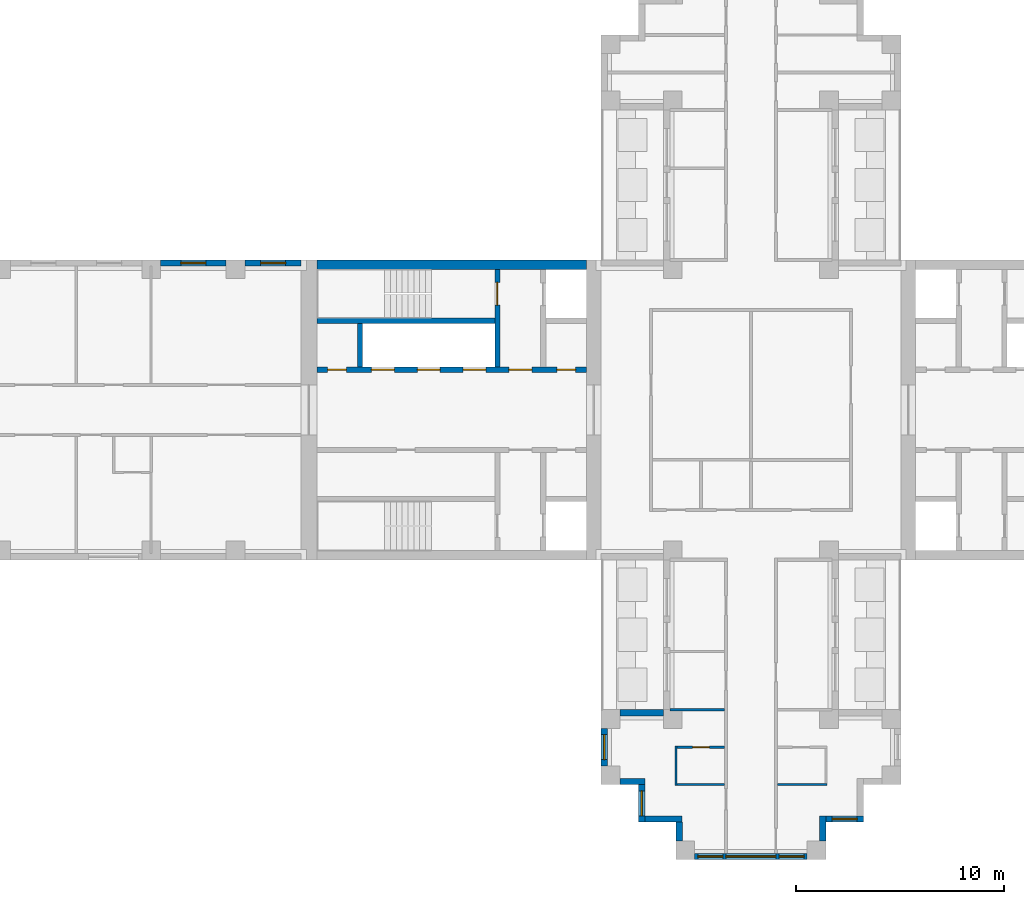
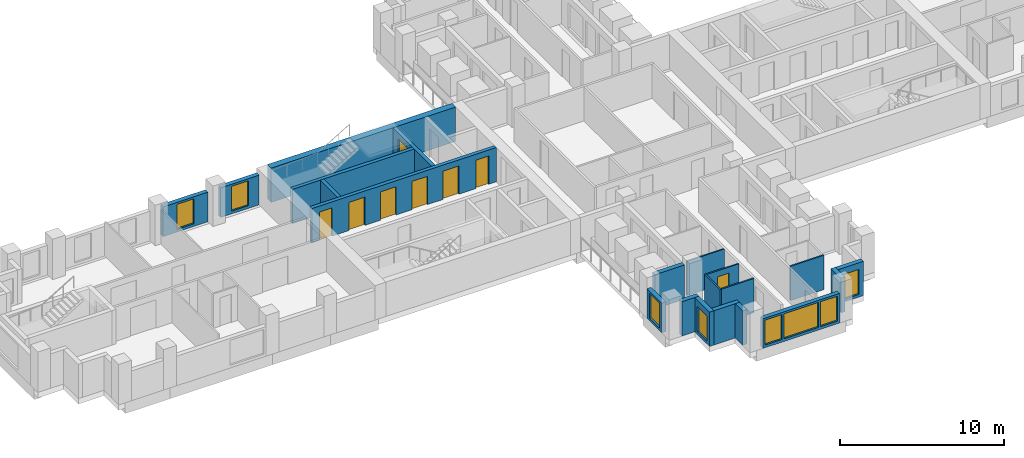
# One storey, part 4 of 12: 21 walls, 8 doors, 8 windows, 16 openings.
"""IFC4 building model written with IfcOpenShell, lengths in metres."""

from ifc_helpers import new_model, si_unit, direction, frame, frame_2d, origin, place, context, subcontext, project, spatial, rectangle, extrude, material, layer, layer_set, type_object, element, fill, save


model = new_model("IFC4")

# Units and contexts
model_context = context("Model", 3, precision=1e-05, world=origin(), true_north=direction((0.0, 1.0)))
body_context = subcontext(model_context, "Body", "Model", "MODEL_VIEW")
ifc_project = project(units=[si_unit("LENGTHUNIT", "METRE"), si_unit("AREAUNIT", "SQUARE_METRE"), si_unit("VOLUMEUNIT", "CUBIC_METRE"), si_unit("PLANEANGLEUNIT", "RADIAN"), si_unit("MASSUNIT", "GRAM", prefix="KILO")], contexts=[model_context])

# Site, building, storey
site_placement = place(None, origin())
site = spatial("IfcSite", under=ifc_project, at=site_placement, CompositionType="ELEMENT")
building_placement = place(site_placement, origin())
building = spatial("IfcBuilding", under=site, at=building_placement, Name="Fustian Cross Tower", CompositionType="ELEMENT")
storey_placement = place(building_placement, frame((0.0, 0.0, 159.300048828125)))
storey = spatial("IfcBuildingStorey", under=building, at=storey_placement, Name="L50", CompositionType="ELEMENT", Elevation=159.300048828125)

# Wall
ifc_material_1 = material(Name="Concrete C60/75", Category="concrete")
ifc_layer_1 = layer(ifc_material_1, 0.449951171875)
ifc_layer_set_1 = layer_set([ifc_layer_1], Name="Concrete C60/75")
wall_type_1 = type_object("IfcWallType", Name="CORE FACADE WALL 450 C60/75", PredefinedType="SHEAR", material=ifc_layer_set_1)
wall_1_placement = place(storey_placement, frame((-7.89990234375, 6.97509765625, 0.0), z_axis=(0.0, 0.0, 1.0), x_axis=(-1.0, 0.0, 0.0)))
element("IfcWall", 1, at=wall_1_placement, inside=storey, type_object=wall_type_1, Name="Core facade wall", PredefinedType="SHEAR", context=body_context, shape_type="SweptSolid", body=[
    extrude(rectangle(XDim=12.9501953125, YDim=0.449951171875, at=frame_2d((6.47509765625, 0.0))), origin(), (0.0, 0.0, 1.0), 2.550048828125),
])

# Wall, openings, doors
ifc_material_2 = material(Name="Concrete C50/60", Category="concrete")
ifc_layer_2 = layer(ifc_material_2, 0.25)
ifc_layer_set_2 = layer_set([ifc_layer_2], Name="Concrete C50/60")
wall_type_2 = type_object("IfcWallType", Name="CORE LOBBY WALL 250 C50/60", PredefinedType="SHEAR", material=ifc_layer_set_2)
wall_2_placement = place(storey_placement, frame((-7.89990234375, 1.925048828125, 0.0), z_axis=(0.0, 0.0, 1.0), x_axis=(-1.0, 0.0, 0.0)))
wall_2 = element("IfcWall", 2, at=wall_2_placement, inside=storey, type_object=wall_type_2, Name="Core lobby wall", PredefinedType="SHEAR", context=body_context, shape_type="SweptSolid", body=[
    extrude(rectangle(XDim=12.9501953125, YDim=0.25, at=frame_2d((6.47509765625, 0.0))), origin(), (0.0, 0.0, 1.0), 2.550048828125),
])
opening_1_placement = place(wall_2_placement, frame((4.824951171875, 0.0, 0.0)))
opening_1 = element("IfcOpeningElement", 3, at=opening_1_placement, cuts=wall_2, Name="Opening LD", PredefinedType="OPENING", context=body_context, shape_type="SweptSolid", body=[
    extrude(rectangle(XDim=1.10009765625, YDim=2.10009765625, at=frame_2d((0.550048828125, 1.050048828125))), frame((0.0, 0.135009765625, 0.0), z_axis=(0.0, -1.0, 0.0), x_axis=(1.0, 0.0, 0.0)), (0.0, 0.0, 1.0), 0.27001953125),
])
opening_2_placement = place(wall_2_placement, frame((7.02490234375, 0.0, 0.0)))
opening_2 = element("IfcOpeningElement", 4, at=opening_2_placement, cuts=wall_2, Name="Opening LD", PredefinedType="OPENING", context=body_context, shape_type="SweptSolid", body=[
    extrude(rectangle(XDim=1.10009765625, YDim=2.10009765625, at=frame_2d((0.550048828125, 1.050048828125))), frame((0.0, 0.135009765625, 0.0), z_axis=(0.0, -1.0, 0.0), x_axis=(1.0, 0.0, 0.0)), (0.0, 0.0, 1.0), 0.27001953125),
])
opening_3_placement = place(wall_2_placement, frame((9.22509765625, 0.0, 0.0)))
opening_3 = element("IfcOpeningElement", 5, at=opening_3_placement, cuts=wall_2, Name="Opening LD", PredefinedType="OPENING", context=body_context, shape_type="SweptSolid", body=[
    extrude(rectangle(XDim=1.10009765625, YDim=2.10009765625, at=frame_2d((0.550048828125, 1.050048828125))), frame((0.0, 0.135009765625, 0.0), z_axis=(0.0, -1.0, 0.0), x_axis=(1.0, 0.0, 0.0)), (0.0, 0.0, 1.0), 0.27001953125),
])
opening_4_placement = place(wall_2_placement, frame((0.52490234375, 0.0, 0.0)))
opening_4 = element("IfcOpeningElement", 6, at=opening_4_placement, cuts=wall_2, Name="Opening CD-19-23", PredefinedType="OPENING", context=body_context, shape_type="SweptSolid", body=[
    extrude(rectangle(XDim=0.89990234375, YDim=2.10009765625, at=frame_2d((0.449951171875, 1.050048828125))), frame((0.0, 0.135009765625, 0.0), z_axis=(0.0, -1.0, 0.0), x_axis=(1.0, 0.0, 0.0)), (0.0, 0.0, 1.0), 0.27001953125),
])
opening_5_placement = place(wall_2_placement, frame((2.625, 0.0, 0.0)))
opening_5 = element("IfcOpeningElement", 7, at=opening_5_placement, cuts=wall_2, Name="Opening CD-19-25", PredefinedType="OPENING", context=body_context, shape_type="SweptSolid", body=[
    extrude(rectangle(XDim=1.10009765625, YDim=2.10009765625, at=frame_2d((0.550048828125, 1.050048828125))), frame((0.0, 0.135009765625, 0.0), z_axis=(0.0, -1.0, 0.0), x_axis=(1.0, 0.0, 0.0)), (0.0, 0.0, 1.0), 0.27001953125),
])
opening_6_placement = place(wall_2_placement, frame((11.52490234375, 0.0, 0.0)))
opening_6 = element("IfcOpeningElement", 8, at=opening_6_placement, cuts=wall_2, Name="Opening CD-19-29", PredefinedType="OPENING", context=body_context, shape_type="SweptSolid", body=[
    extrude(rectangle(XDim=0.89990234375, YDim=2.10009765625, at=frame_2d((0.449951171875, 1.050048828125))), frame((0.0, 0.135009765625, 0.0), z_axis=(0.0, -1.0, 0.0), x_axis=(1.0, 0.0, 0.0)), (0.0, 0.0, 1.0), 0.27001953125),
])
ifc_material_3 = material(Name="Steel", Category="steel")
door_type_1 = type_object("IfcDoorType", Name="FIRE DOOR FD30S 900X2100", OperationType="SINGLE_SWING_LEFT", PredefinedType="DOOR", material=ifc_material_3)
door_1_placement = place(opening_6_placement, frame((0.89990234375, 0.0, 0.0), z_axis=(0.0, 0.0, 1.0), x_axis=(-1.0, 0.0, 0.0)))
door_1 = element("IfcDoor", 9, at=door_1_placement, inside=storey, type_object=door_type_1, Name="Core door CD-19-29", OperationType="SINGLE_SWING_RIGHT", OverallHeight=2.10009765625, OverallWidth=0.89990234375, PredefinedType="DOOR", context=body_context, shape_type="SweptSolid", body=[
    extrude(rectangle(XDim=0.89990234375, YDim=2.10009765625, at=frame_2d((0.449951171875, 1.050048828125))), frame((0.0, 0.02490234375, 0.0), z_axis=(0.0, -1.0, 0.0), x_axis=(1.0, 0.0, 0.0)), (0.0, 0.0, 1.0), 0.050048828125),
])
fill(opening_6, door_1)
ifc_material_4 = material(Name="Steel", Category="steel")
door_type_2 = type_object("IfcDoorType", Name="FIRE DOOR FD60S 1100X2100", OperationType="SINGLE_SWING_LEFT", PredefinedType="DOOR", material=ifc_material_4)
door_2_placement = place(opening_5_placement, frame((1.10009765625, 0.0, 0.0), z_axis=(0.0, 0.0, 1.0), x_axis=(-1.0, 0.0, 0.0)))
door_2 = element("IfcDoor", 10, at=door_2_placement, inside=storey, type_object=door_type_2, Name="Core door CD-19-25", OperationType="SINGLE_SWING_RIGHT", OverallHeight=2.10009765625, OverallWidth=1.10009765625, PredefinedType="DOOR", context=body_context, shape_type="SweptSolid", body=[
    extrude(rectangle(XDim=1.10009765625, YDim=2.10009765625, at=frame_2d((0.550048828125, 1.050048828125))), frame((0.0, 0.02490234375, 0.0), z_axis=(0.0, -1.0, 0.0), x_axis=(1.0, 0.0, 0.0)), (0.0, 0.0, 1.0), 0.050048828125),
])
fill(opening_5, door_2)
ifc_material_5 = material(Name="Steel", Category="steel")
door_type_3 = type_object("IfcDoorType", Name="FIRE DOOR FD60S 900X2100", OperationType="SINGLE_SWING_LEFT", PredefinedType="DOOR", material=ifc_material_5)
door_3_placement = place(opening_4_placement, frame((0.89990234375, 0.0, 0.0), z_axis=(0.0, 0.0, 1.0), x_axis=(-1.0, 0.0, 0.0)))
door_3 = element("IfcDoor", 11, at=door_3_placement, inside=storey, type_object=door_type_3, Name="Core door CD-19-23", OperationType="SINGLE_SWING_RIGHT", OverallHeight=2.10009765625, OverallWidth=0.89990234375, PredefinedType="DOOR", context=body_context, shape_type="SweptSolid", body=[
    extrude(rectangle(XDim=0.89990234375, YDim=2.10009765625, at=frame_2d((0.449951171875, 1.050048828125))), frame((0.0, 0.02490234375, 0.0), z_axis=(0.0, -1.0, 0.0), x_axis=(1.0, 0.0, 0.0)), (0.0, 0.0, 1.0), 0.050048828125),
])
fill(opening_4, door_3)
ifc_material_6 = material(Name="Stainless steel", Category="steel")
door_type_4 = type_object("IfcDoorType", Name="LIFT LANDING DOOR 1100X2100", OperationType="SLIDING_TO_LEFT", PredefinedType="DOOR", material=ifc_material_6)
door_4_placement = place(opening_1_placement, origin())
door_4 = element("IfcDoor", 12, at=door_4_placement, inside=storey, type_object=door_type_4, Name="Landing door HR1W", OperationType="SLIDING_TO_LEFT", OverallHeight=2.10009765625, OverallWidth=1.10009765625, PredefinedType="DOOR", context=body_context, shape_type="SweptSolid", body=[
    extrude(rectangle(XDim=1.10009765625, YDim=2.10009765625, at=frame_2d((0.550048828125, 1.050048828125))), frame((0.0, 0.02490234375, 0.0), z_axis=(0.0, -1.0, 0.0), x_axis=(1.0, 0.0, 0.0)), (0.0, 0.0, 1.0), 0.050048828125),
])
fill(opening_1, door_4)
door_5_placement = place(opening_2_placement, origin())
door_5 = element("IfcDoor", 13, at=door_5_placement, inside=storey, type_object=door_type_4, Name="Landing door HR2W", OperationType="SLIDING_TO_LEFT", OverallHeight=2.10009765625, OverallWidth=1.10009765625, PredefinedType="DOOR", context=body_context, shape_type="SweptSolid", body=[
    extrude(rectangle(XDim=1.10009765625, YDim=2.10009765625, at=frame_2d((0.550048828125, 1.050048828125))), frame((0.0, 0.02490234375, 0.0), z_axis=(0.0, -1.0, 0.0), x_axis=(1.0, 0.0, 0.0)), (0.0, 0.0, 1.0), 0.050048828125),
])
fill(opening_2, door_5)
door_6_placement = place(opening_3_placement, origin())
door_6 = element("IfcDoor", 14, at=door_6_placement, inside=storey, type_object=door_type_4, Name="Landing door HR3W", OperationType="SLIDING_TO_LEFT", OverallHeight=2.10009765625, OverallWidth=1.10009765625, PredefinedType="DOOR", context=body_context, shape_type="SweptSolid", body=[
    extrude(rectangle(XDim=1.10009765625, YDim=2.10009765625, at=frame_2d((0.550048828125, 1.050048828125))), frame((0.0, 0.02490234375, 0.0), z_axis=(0.0, -1.0, 0.0), x_axis=(1.0, 0.0, 0.0)), (0.0, 0.0, 1.0), 0.050048828125),
])
fill(opening_3, door_6)

# Wall
ifc_material_7 = material(Name="Concrete C50/60", Category="concrete")
ifc_layer_3 = layer(ifc_material_7, 0.25)
ifc_layer_set_3 = layer_set([ifc_layer_3], Name="Concrete C50/60")
wall_type_3 = type_object("IfcWallType", Name="CORE SHAFT WALL 250 C50/60", PredefinedType="SHEAR", material=ifc_layer_set_3)
wall_3_placement = place(storey_placement, frame((-12.300048828125, 4.27490234375, 0.0), z_axis=(0.0, 0.0, 1.0), x_axis=(-1.0, 0.0, 0.0)))
element("IfcWall", 15, at=wall_3_placement, inside=storey, type_object=wall_type_3, Name="Core shaft wall", PredefinedType="SHEAR", context=body_context, shape_type="SweptSolid", body=[
    extrude(rectangle(XDim=8.550048828125, YDim=0.25, at=frame_2d((4.27490234375, 0.0))), origin(), (0.0, 0.0, 1.0), 2.550048828125),
])

# Wall, opening, door
wall_4_placement = place(storey_placement, frame((-12.175048828125, 2.050048828125, 0.0), z_axis=(0.0, 0.0, 1.0), x_axis=(0.0, 1.0, 0.0)))
wall_4 = element("IfcWall", 16, at=wall_4_placement, inside=storey, type_object=wall_type_3, Name="Core shaft wall", PredefinedType="SHEAR", context=body_context, shape_type="SweptSolid", body=[
    extrude(rectangle(XDim=4.699951171875, YDim=0.25, at=frame_2d((2.35009765625, 0.0))), origin(), (0.0, 0.0, 1.0), 2.550048828125),
])
opening_7_placement = place(wall_4_placement, frame((2.97509765625, 0.0, 0.0)))
opening_7 = element("IfcOpeningElement", 17, at=opening_7_placement, cuts=wall_4, Name="Opening CD-19-21", PredefinedType="OPENING", context=body_context, shape_type="SweptSolid", body=[
    extrude(rectangle(XDim=1.10009765625, YDim=2.10009765625, at=frame_2d((0.550048828125, 1.050048828125))), frame((0.0, 0.135009765625, 0.0), z_axis=(0.0, -1.0, 0.0), x_axis=(1.0, 0.0, 0.0)), (0.0, 0.0, 1.0), 0.27001953125),
])
door_7_placement = place(opening_7_placement, origin())
door_7 = element("IfcDoor", 18, at=door_7_placement, inside=storey, type_object=door_type_2, Name="Core door CD-19-21", OperationType="SINGLE_SWING_LEFT", OverallHeight=2.10009765625, OverallWidth=1.10009765625, PredefinedType="DOOR", context=body_context, shape_type="SweptSolid", body=[
    extrude(rectangle(XDim=1.10009765625, YDim=2.10009765625, at=frame_2d((0.550048828125, 1.050048828125))), frame((0.0, 0.02490234375, 0.0), z_axis=(0.0, -1.0, 0.0), x_axis=(1.0, 0.0, 0.0)), (0.0, 0.0, 1.0), 0.050048828125),
])
fill(opening_7, door_7)

# Walls
ifc_material_8 = material(Name="Plasterboard on steel stud", Category="steel")
ifc_layer_4 = layer(ifc_material_8, 0.10009765625)
ifc_layer_set_4 = layer_set([ifc_layer_4], Name="Plasterboard on steel stud")
wall_type_4 = type_object("IfcWallType", Name="PARTITION 100 STUD", PredefinedType="PARTITIONING", material=ifc_layer_set_4)
wall_5_placement = place(storey_placement, frame((-3.89990234375, -14.39990234375, 0.0), z_axis=(0.0, 0.0, 1.0), x_axis=(1.0, 0.0, 0.0)))
element("IfcWall", 19, at=wall_5_placement, inside=storey, type_object=wall_type_4, Name="Partition 16", PredefinedType="PARTITIONING", context=body_context, shape_type="SweptSolid", body=[
    extrude(rectangle(XDim=2.625, YDim=0.10009765625, at=frame_2d((1.3125, 0.0))), origin(), (0.0, 0.0, 1.0), 2.550048828125),
])
wall_6_placement = place(storey_placement, frame((-3.60009765625, -18.050048828125, 0.0), z_axis=(0.0, 0.0, 1.0), x_axis=(0.0, 1.0, 0.0)))
element("IfcWall", 20, at=wall_6_placement, inside=storey, type_object=wall_type_4, Name="Partition 22", PredefinedType="PARTITIONING", context=body_context, shape_type="SweptSolid", body=[
    extrude(rectangle(XDim=1.900146484375, YDim=0.10009765625, at=frame_2d((0.9501953125, 0.0))), origin(), (0.0, 0.0, 1.0), 2.550048828125),
])
wall_7_placement = place(storey_placement, frame((-3.550048828125, -18.0, 0.0), z_axis=(0.0, 0.0, 1.0), x_axis=(1.0, 0.0, 0.0)))
element("IfcWall", 21, at=wall_7_placement, inside=storey, type_object=wall_type_4, Name="Partition 23", PredefinedType="PARTITIONING", context=body_context, shape_type="SweptSolid", body=[
    extrude(rectangle(XDim=2.275146484375, YDim=0.10009765625, at=frame_2d((1.1376953125, 0.0))), origin(), (0.0, 0.0, 1.0), 2.550048828125),
])

# Wall, opening, door
wall_8_placement = place(storey_placement, frame((-3.550048828125, -16.199951171875, 0.0), z_axis=(0.0, 0.0, 1.0), x_axis=(1.0, 0.0, 0.0)))
wall_8 = element("IfcWall", 22, at=wall_8_placement, inside=storey, type_object=wall_type_4, Name="Partition 24", PredefinedType="PARTITIONING", context=body_context, shape_type="SweptSolid", body=[
    extrude(rectangle(XDim=2.275146484375, YDim=0.10009765625, at=frame_2d((1.1376953125, 0.0))), origin(), (0.0, 0.0, 1.0), 2.550048828125),
])
opening_8_placement = place(wall_8_placement, frame((0.75, 0.0, 0.0)))
opening_8 = element("IfcOpeningElement", 23, at=opening_8_placement, cuts=wall_8, Name="Opening D22038", PredefinedType="OPENING", context=body_context, shape_type="SweptSolid", body=[
    extrude(rectangle(XDim=0.800048828125, YDim=2.10009765625, at=frame_2d((0.39990234375, 1.050048828125))), frame((0.0, 0.06005859375, 0.0), z_axis=(0.0, -1.0, 0.0), x_axis=(1.0, 0.0, 0.0)), (0.0, 0.0, 1.0), 0.1201171875),
])
ifc_material_9 = material(Name="Painted timber", Category="wood")
door_type_5 = type_object("IfcDoorType", Name="SWING DOOR 800", OperationType="SINGLE_SWING_LEFT", PredefinedType="DOOR", material=ifc_material_9)
door_8_placement = place(opening_8_placement, frame((0.800048828125, 0.0, 0.0), z_axis=(0.0, 0.0, 1.0), x_axis=(-1.0, 0.0, 0.0)))
door_8 = element("IfcDoor", 24, at=door_8_placement, inside=storey, type_object=door_type_5, Name="Door D22038", OperationType="SINGLE_SWING_RIGHT", OverallHeight=2.10009765625, OverallWidth=0.800048828125, PredefinedType="DOOR", context=body_context, shape_type="SweptSolid", body=[
    extrude(rectangle(XDim=0.800048828125, YDim=2.10009765625, at=frame_2d((0.39990234375, 1.050048828125))), frame((0.0, 0.02490234375, 0.0), z_axis=(0.0, -1.0, 0.0), x_axis=(1.0, 0.0, 0.0)), (0.0, 0.0, 1.0), 0.050048828125),
])
fill(opening_8, door_8)

# Walls
wall_9_placement = place(storey_placement, frame((1.27490234375, -18.0, 0.0), z_axis=(0.0, 0.0, 1.0), x_axis=(1.0, 0.0, 0.0)))
element("IfcWall", 25, at=wall_9_placement, inside=storey, type_object=wall_type_4, Name="Partition 33", PredefinedType="PARTITIONING", context=body_context, shape_type="SweptSolid", body=[
    extrude(rectangle(XDim=2.375, YDim=0.10009765625, at=frame_2d((1.1875, 0.0))), origin(), (0.0, 0.0, 1.0), 2.550048828125),
])
ifc_material_10 = material(Name="Concrete C40/50", Category="concrete")
ifc_layer_5 = layer(ifc_material_10, 0.25)
ifc_layer_set_5 = layer_set([ifc_layer_5], Name="Concrete C40/50")
wall_type_5 = type_object("IfcWallType", Name="SHAFT PARTITION WALL 250 C40/50", PredefinedType="PARTITIONING", material=ifc_layer_set_5)
wall_10_placement = place(storey_placement, frame((-18.77490234375, 2.050048828125, 0.0), z_axis=(0.0, 0.0, 1.0), x_axis=(0.0, 1.0, 0.0)))
element("IfcWall", 26, at=wall_10_placement, inside=storey, type_object=wall_type_5, Name="Core shaft wall", PredefinedType="PARTITIONING", context=body_context, shape_type="SweptSolid", body=[
    extrude(rectangle(XDim=2.099853515625, YDim=0.25, at=frame_2d((1.0498046875, 0.0))), origin(), (0.0, 0.0, 1.0), 2.550048828125),
])

# Wall, opening, window
ifc_material_11 = material(Name="Dark aluminium cladding on insulated backing wall", Category="aluminium")
ifc_layer_6 = layer(ifc_material_11, 0.300048828125)
ifc_layer_set_6 = layer_set([ifc_layer_6], Name="Dark aluminium cladding on insulated backing wall")
wall_type_6 = type_object("IfcWallType", Name="XW1 EXTERNAL WALL 300", PredefinedType="SOLIDWALL", material=ifc_layer_set_6)
wall_11_placement = place(storey_placement, frame((-21.60009765625, 7.050048828125, 0.0), z_axis=(0.0, 0.0, 1.0), x_axis=(-1.0, 0.0, 0.0)))
wall_11 = element("IfcWall", 27, at=wall_11_placement, inside=storey, type_object=wall_type_6, Name="External wall", PredefinedType="SOLIDWALL", context=body_context, shape_type="SweptSolid", body=[
    extrude(rectangle(XDim=2.699951171875, YDim=0.300048828125, at=frame_2d((1.35009765625, 0.0))), origin(), (0.0, 0.0, 1.0), 2.199951171875),
])
opening_9_placement = place(wall_11_placement, frame((0.75, 0.0, 0.199951171875)))
opening_9 = element("IfcOpeningElement", 28, at=opening_9_placement, cuts=wall_11, Name="Opening WN3", PredefinedType="OPENING", context=body_context, shape_type="SweptSolid", body=[
    extrude(rectangle(XDim=1.199951171875, YDim=1.85009765625, at=frame_2d((0.60009765625, 0.925048828125))), frame((0.0, 0.159912109375, 0.0), z_axis=(0.0, -1.0, 0.0), x_axis=(1.0, 0.0, 0.0)), (0.0, 0.0, 1.0), 0.320068359375),
])
ifc_material_12 = material(Name="Dark anodised aluminium and double glazing", Category="aluminium")
window_type_1 = type_object("IfcWindowType", Name="WN3 WINDOW 1200X1850", PartitioningType="SINGLE_PANEL", PredefinedType="WINDOW", material=ifc_material_12)
window_1_placement = place(opening_9_placement, origin())
window_1 = element("IfcWindow", 29, at=window_1_placement, inside=storey, type_object=window_type_1, Name="Window", OverallHeight=1.85009765625, OverallWidth=1.199951171875, PartitioningType="SINGLE_PANEL", PredefinedType="WINDOW", context=body_context, shape_type="SweptSolid", body=[
    extrude(rectangle(XDim=1.199951171875, YDim=1.85009765625, at=frame_2d((0.60009765625, 0.925048828125))), frame((0.0, 0.030029296875, 0.0), z_axis=(0.0, -1.0, 0.0), x_axis=(1.0, 0.0, 0.0)), (0.0, 0.0, 1.0), 0.06005859375),
])
fill(opening_9, window_1)

wall_12_placement = place(storey_placement, frame((-25.199951171875, 7.050048828125, 0.0), z_axis=(0.0, 0.0, 1.0), x_axis=(-1.0, 0.0, 0.0)))
wall_12 = element("IfcWall", 30, at=wall_12_placement, inside=storey, type_object=wall_type_6, Name="External wall", PredefinedType="SOLIDWALL", context=body_context, shape_type="SweptSolid", body=[
    extrude(rectangle(XDim=3.150146484375, YDim=0.300048828125, at=frame_2d((1.5751953125, 0.0))), origin(), (0.0, 0.0, 1.0), 2.199951171875),
])
opening_10_placement = place(wall_12_placement, frame((0.97509765625, 0.0, 0.199951171875)))
opening_10 = element("IfcOpeningElement", 31, at=opening_10_placement, cuts=wall_12, Name="Opening WN3", PredefinedType="OPENING", context=body_context, shape_type="SweptSolid", body=[
    extrude(rectangle(XDim=1.199951171875, YDim=1.85009765625, at=frame_2d((0.60009765625, 0.925048828125))), frame((0.0, 0.159912109375, 0.0), z_axis=(0.0, -1.0, 0.0), x_axis=(1.0, 0.0, 0.0)), (0.0, 0.0, 1.0), 0.320068359375),
])
window_2_placement = place(opening_10_placement, origin())
window_2 = element("IfcWindow", 32, at=window_2_placement, inside=storey, type_object=window_type_1, Name="Window", OverallHeight=1.85009765625, OverallWidth=1.199951171875, PartitioningType="SINGLE_PANEL", PredefinedType="WINDOW", context=body_context, shape_type="SweptSolid", body=[
    extrude(rectangle(XDim=1.199951171875, YDim=1.85009765625, at=frame_2d((0.60009765625, 0.925048828125))), frame((0.0, 0.030029296875, 0.0), z_axis=(0.0, -1.0, 0.0), x_axis=(1.0, 0.0, 0.0)), (0.0, 0.0, 1.0), 0.06005859375),
])
fill(opening_10, window_2)

# Wall
wall_13_placement = place(storey_placement, frame((-4.199951171875, -14.550048828125, 0.0), z_axis=(0.0, 0.0, 1.0), x_axis=(-1.0, 0.0, 0.0)))
element("IfcWall", 33, at=wall_13_placement, inside=storey, type_object=wall_type_6, Name="External wall", PredefinedType="SOLIDWALL", context=body_context, shape_type="SweptSolid", body=[
    extrude(rectangle(XDim=2.10009765625, YDim=0.300048828125, at=frame_2d((1.050048828125, 0.0))), origin(), (0.0, 0.0, 1.0), 2.550048828125),
])

# Wall, opening, window
wall_14_placement = place(storey_placement, frame((-7.050048828125, -15.300048828125, 0.0), z_axis=(0.0, 0.0, 1.0), x_axis=(0.0, -1.0, 0.0)))
wall_14 = element("IfcWall", 34, at=wall_14_placement, inside=storey, type_object=wall_type_6, Name="External wall", PredefinedType="SOLIDWALL", context=body_context, shape_type="SweptSolid", body=[
    extrude(rectangle(XDim=1.800048828125, YDim=0.300048828125, at=frame_2d((0.89990234375, 0.0))), origin(), (0.0, 0.0, 1.0), 2.199951171875),
])
opening_11_placement = place(wall_14_placement, frame((0.300048828125, 0.0, 0.199951171875)))
opening_11 = element("IfcOpeningElement", 35, at=opening_11_placement, cuts=wall_14, Name="Opening WN3", PredefinedType="OPENING", context=body_context, shape_type="SweptSolid", body=[
    extrude(rectangle(XDim=1.199951171875, YDim=1.85009765625, at=frame_2d((0.60009765625, 0.925048828125))), frame((0.0, 0.159912109375, 0.0), z_axis=(0.0, -1.0, 0.0), x_axis=(1.0, 0.0, 0.0)), (0.0, 0.0, 1.0), 0.320068359375),
])
window_3_placement = place(opening_11_placement, origin())
window_3 = element("IfcWindow", 36, at=window_3_placement, inside=storey, type_object=window_type_1, Name="Window", OverallHeight=1.85009765625, OverallWidth=1.199951171875, PartitioningType="SINGLE_PANEL", PredefinedType="WINDOW", context=body_context, shape_type="SweptSolid", body=[
    extrude(rectangle(XDim=1.199951171875, YDim=1.85009765625, at=frame_2d((0.60009765625, 0.925048828125))), frame((0.0, 0.030029296875, 0.0), z_axis=(0.0, -1.0, 0.0), x_axis=(1.0, 0.0, 0.0)), (0.0, 0.0, 1.0), 0.06005859375),
])
fill(opening_11, window_3)

# Wall
wall_15_placement = place(storey_placement, frame((-6.300048828125, -17.85009765625, 0.0), z_axis=(0.0, 0.0, 1.0), x_axis=(1.0, 0.0, 0.0)))
element("IfcWall", 37, at=wall_15_placement, inside=storey, type_object=wall_type_6, Name="External wall", PredefinedType="SOLIDWALL", context=body_context, shape_type="SweptSolid", body=[
    extrude(rectangle(XDim=1.199951171875, YDim=0.300048828125, at=frame_2d((0.60009765625, 0.0))), origin(), (0.0, 0.0, 1.0), 2.550048828125),
])

# Wall, opening, window
wall_16_placement = place(storey_placement, frame((-5.25, -18.0, 0.0), z_axis=(0.0, 0.0, 1.0), x_axis=(0.0, -1.0, 0.0)))
wall_16 = element("IfcWall", 38, at=wall_16_placement, inside=storey, type_object=wall_type_6, Name="External wall", PredefinedType="SOLIDWALL", context=body_context, shape_type="SweptSolid", body=[
    extrude(rectangle(XDim=1.800048828125, YDim=0.300048828125, at=frame_2d((0.89990234375, 0.0))), origin(), (0.0, 0.0, 1.0), 2.550048828125),
])
opening_12_placement = place(wall_16_placement, frame((0.300048828125, 0.0, 0.199951171875)))
opening_12 = element("IfcOpeningElement", 39, at=opening_12_placement, cuts=wall_16, Name="Opening WN3", PredefinedType="OPENING", context=body_context, shape_type="SweptSolid", body=[
    extrude(rectangle(XDim=1.199951171875, YDim=1.85009765625, at=frame_2d((0.60009765625, 0.925048828125))), frame((0.0, 0.159912109375, 0.0), z_axis=(0.0, -1.0, 0.0), x_axis=(1.0, 0.0, 0.0)), (0.0, 0.0, 1.0), 0.320068359375),
])
window_4_placement = place(opening_12_placement, origin())
window_4 = element("IfcWindow", 40, at=window_4_placement, inside=storey, type_object=window_type_1, Name="Window", OverallHeight=1.85009765625, OverallWidth=1.199951171875, PartitioningType="SINGLE_PANEL", PredefinedType="WINDOW", context=body_context, shape_type="SweptSolid", body=[
    extrude(rectangle(XDim=1.199951171875, YDim=1.85009765625, at=frame_2d((0.60009765625, 0.925048828125))), frame((0.0, 0.030029296875, 0.0), z_axis=(0.0, -1.0, 0.0), x_axis=(1.0, 0.0, 0.0)), (0.0, 0.0, 1.0), 0.06005859375),
])
fill(opening_12, window_4)

# Walls
wall_17_placement = place(storey_placement, frame((-5.10009765625, -19.64990234375, 0.0), z_axis=(0.0, 0.0, 1.0), x_axis=(1.0, 0.0, 0.0)))
element("IfcWall", 41, at=wall_17_placement, inside=storey, type_object=wall_type_6, Name="External wall", PredefinedType="SOLIDWALL", context=body_context, shape_type="SweptSolid", body=[
    extrude(rectangle(XDim=1.800048828125, YDim=0.300048828125, at=frame_2d((0.89990234375, 0.0))), origin(), (0.0, 0.0, 1.0), 2.550048828125),
])
wall_18_placement = place(storey_placement, frame((-3.449951171875, -19.800048828125, 0.0), z_axis=(0.0, 0.0, 1.0), x_axis=(0.0, -1.0, 0.0)))
element("IfcWall", 42, at=wall_18_placement, inside=storey, type_object=wall_type_6, Name="External wall", PredefinedType="SOLIDWALL", context=body_context, shape_type="SweptSolid", body=[
    extrude(rectangle(XDim=0.89990234375, YDim=0.300048828125, at=frame_2d((0.449951171875, 0.0))), origin(), (0.0, 0.0, 1.0), 2.550048828125),
])

# Wall, openings, windows
wall_19_placement = place(storey_placement, frame((-2.699951171875, -21.449951171875, 0.0), z_axis=(0.0, 0.0, 1.0), x_axis=(1.0, 0.0, 0.0)))
wall_19 = element("IfcWall", 43, at=wall_19_placement, inside=storey, type_object=wall_type_6, Name="External wall", PredefinedType="SOLIDWALL", context=body_context, shape_type="SweptSolid", body=[
    extrude(rectangle(XDim=5.39990234375, YDim=0.300048828125, at=frame_2d((2.699951171875, 0.0))), origin(), (0.0, 0.0, 1.0), 2.199951171875),
])
opening_13_placement = place(wall_19_placement, frame((1.5, 0.0, 0.199951171875)))
opening_13 = element("IfcOpeningElement", 44, at=opening_13_placement, cuts=wall_19, Name="Opening WN1", PredefinedType="OPENING", context=body_context, shape_type="SweptSolid", body=[
    extrude(rectangle(XDim=2.39990234375, YDim=1.85009765625, at=frame_2d((1.199951171875, 0.925048828125))), frame((0.0, 0.159912109375, 0.0), z_axis=(0.0, -1.0, 0.0), x_axis=(1.0, 0.0, 0.0)), (0.0, 0.0, 1.0), 0.320068359375),
])
opening_14_placement = place(wall_19_placement, frame((0.14990234375, 0.0, 0.199951171875)))
opening_14 = element("IfcOpeningElement", 45, at=opening_14_placement, cuts=wall_19, Name="Opening WN3", PredefinedType="OPENING", context=body_context, shape_type="SweptSolid", body=[
    extrude(rectangle(XDim=1.199951171875, YDim=1.85009765625, at=frame_2d((0.60009765625, 0.925048828125))), frame((0.0, 0.159912109375, 0.0), z_axis=(0.0, -1.0, 0.0), x_axis=(1.0, 0.0, 0.0)), (0.0, 0.0, 1.0), 0.320068359375),
])
opening_15_placement = place(wall_19_placement, frame((4.050048828125, 0.0, 0.199951171875)))
opening_15 = element("IfcOpeningElement", 46, at=opening_15_placement, cuts=wall_19, Name="Opening WN3", PredefinedType="OPENING", context=body_context, shape_type="SweptSolid", body=[
    extrude(rectangle(XDim=1.199951171875, YDim=1.85009765625, at=frame_2d((0.60009765625, 0.925048828125))), frame((0.0, 0.159912109375, 0.0), z_axis=(0.0, -1.0, 0.0), x_axis=(1.0, 0.0, 0.0)), (0.0, 0.0, 1.0), 0.320068359375),
])
ifc_material_13 = material(Name="Dark anodised aluminium and double glazing", Category="aluminium")
window_type_2 = type_object("IfcWindowType", Name="WN1 WINDOW 2400X1850", PartitioningType="SINGLE_PANEL", PredefinedType="WINDOW", material=ifc_material_13)
window_5_placement = place(opening_13_placement, origin())
window_5 = element("IfcWindow", 47, at=window_5_placement, inside=storey, type_object=window_type_2, Name="Window", OverallHeight=1.85009765625, OverallWidth=2.39990234375, PartitioningType="SINGLE_PANEL", PredefinedType="WINDOW", context=body_context, shape_type="SweptSolid", body=[
    extrude(rectangle(XDim=2.39990234375, YDim=1.85009765625, at=frame_2d((1.199951171875, 0.925048828125))), frame((0.0, 0.030029296875, 0.0), z_axis=(0.0, -1.0, 0.0), x_axis=(1.0, 0.0, 0.0)), (0.0, 0.0, 1.0), 0.06005859375),
])
fill(opening_13, window_5)
window_6_placement = place(opening_14_placement, origin())
window_6 = element("IfcWindow", 48, at=window_6_placement, inside=storey, type_object=window_type_1, Name="Window", OverallHeight=1.85009765625, OverallWidth=1.199951171875, PartitioningType="SINGLE_PANEL", PredefinedType="WINDOW", context=body_context, shape_type="SweptSolid", body=[
    extrude(rectangle(XDim=1.199951171875, YDim=1.85009765625, at=frame_2d((0.60009765625, 0.925048828125))), frame((0.0, 0.030029296875, 0.0), z_axis=(0.0, -1.0, 0.0), x_axis=(1.0, 0.0, 0.0)), (0.0, 0.0, 1.0), 0.06005859375),
])
fill(opening_14, window_6)
window_7_placement = place(opening_15_placement, origin())
window_7 = element("IfcWindow", 49, at=window_7_placement, inside=storey, type_object=window_type_1, Name="Window", OverallHeight=1.85009765625, OverallWidth=1.199951171875, PartitioningType="SINGLE_PANEL", PredefinedType="WINDOW", context=body_context, shape_type="SweptSolid", body=[
    extrude(rectangle(XDim=1.199951171875, YDim=1.85009765625, at=frame_2d((0.60009765625, 0.925048828125))), frame((0.0, 0.030029296875, 0.0), z_axis=(0.0, -1.0, 0.0), x_axis=(1.0, 0.0, 0.0)), (0.0, 0.0, 1.0), 0.06005859375),
])
fill(opening_15, window_7)

# Wall
wall_20_placement = place(storey_placement, frame((3.449951171875, -20.699951171875, 0.0), z_axis=(0.0, 0.0, 1.0), x_axis=(0.0, 1.0, 0.0)))
element("IfcWall", 50, at=wall_20_placement, inside=storey, type_object=wall_type_6, Name="External wall", PredefinedType="SOLIDWALL", context=body_context, shape_type="SweptSolid", body=[
    extrude(rectangle(XDim=1.199951171875, YDim=0.300048828125, at=frame_2d((0.60009765625, 0.0))), origin(), (0.0, 0.0, 1.0), 2.550048828125),
])

# Wall, opening, window
wall_21_placement = place(storey_placement, frame((3.60009765625, -19.64990234375, 0.0), z_axis=(0.0, 0.0, 1.0), x_axis=(1.0, 0.0, 0.0)))
wall_21 = element("IfcWall", 51, at=wall_21_placement, inside=storey, type_object=wall_type_6, Name="External wall", PredefinedType="SOLIDWALL", context=body_context, shape_type="SweptSolid", body=[
    extrude(rectangle(XDim=1.7998046875, YDim=0.300048828125, at=frame_2d((0.89990234375, 0.0))), origin(), (0.0, 0.0, 1.0), 2.550048828125),
])
opening_16_placement = place(wall_21_placement, frame((0.300048828125, 0.0, 0.199951171875)))
opening_16 = element("IfcOpeningElement", 52, at=opening_16_placement, cuts=wall_21, Name="Opening WN3", PredefinedType="OPENING", context=body_context, shape_type="SweptSolid", body=[
    extrude(rectangle(XDim=1.199951171875, YDim=1.85009765625, at=frame_2d((0.60009765625, 0.925048828125))), frame((0.0, 0.159912109375, 0.0), z_axis=(0.0, -1.0, 0.0), x_axis=(1.0, 0.0, 0.0)), (0.0, 0.0, 1.0), 0.320068359375),
])
window_8_placement = place(opening_16_placement, origin())
window_8 = element("IfcWindow", 53, at=window_8_placement, inside=storey, type_object=window_type_1, Name="Window", OverallHeight=1.85009765625, OverallWidth=1.199951171875, PartitioningType="SINGLE_PANEL", PredefinedType="WINDOW", context=body_context, shape_type="SweptSolid", body=[
    extrude(rectangle(XDim=1.199951171875, YDim=1.85009765625, at=frame_2d((0.60009765625, 0.925048828125))), frame((0.0, 0.030029296875, 0.0), z_axis=(0.0, -1.0, 0.0), x_axis=(1.0, 0.0, 0.0)), (0.0, 0.0, 1.0), 0.06005859375),
])
fill(opening_16, window_8)

save(model, "model.ifc")
